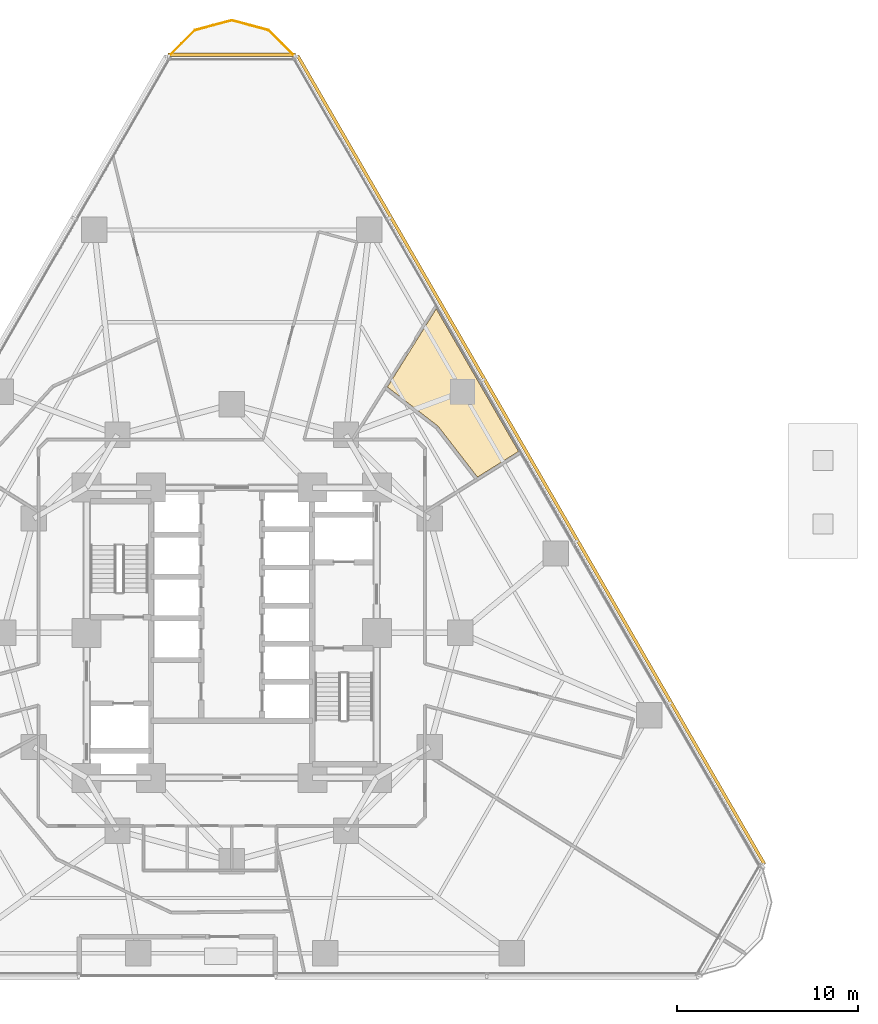
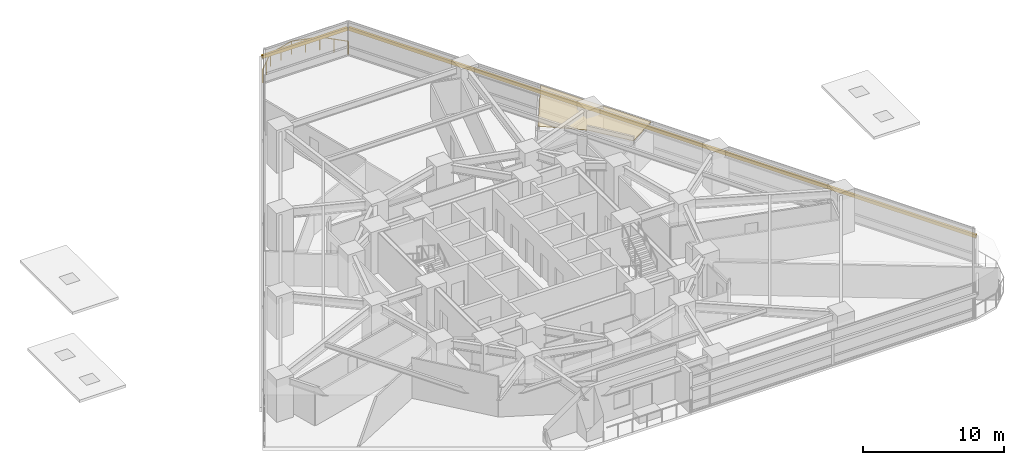
# One storey, part 16 of 16: 2 shading devices, 1 covering, 1 railing.
"""IFC4 building model written with IfcOpenShell, lengths in metres."""

from ifc_helpers import new_model, si_unit, direction, frame, origin, origin_2d, place, context, subcontext, project, spatial, polyline, rectangle, circle, outline, extrude, material, layer, layer_set, type_object, element, save


model = new_model("IFC4")

# Units and contexts
model_context = context("Model", 3, precision=1e-05, world=origin(), true_north=direction((0.0, 1.0)))
body_context = subcontext(model_context, "Body", "Model", "MODEL_VIEW")
ifc_project = project(units=[si_unit("LENGTHUNIT", "METRE"), si_unit("AREAUNIT", "SQUARE_METRE"), si_unit("VOLUMEUNIT", "CUBIC_METRE"), si_unit("PLANEANGLEUNIT", "RADIAN"), si_unit("MASSUNIT", "GRAM", prefix="KILO")], contexts=[model_context])

# Site, building, storey
site_placement = place(None, origin())
site = spatial("IfcSite", under=ifc_project, at=site_placement, CompositionType="ELEMENT")
building_placement = place(site_placement, origin())
building = spatial("IfcBuilding", under=site, at=building_placement, Name="Terralouvre Media Tower", CompositionType="ELEMENT")
storey_placement = place(building_placement, frame((0.0, 0.0, 29.699951171875)))
storey = spatial("IfcBuildingStorey", under=building, at=storey_placement, Name="L06", CompositionType="ELEMENT", Elevation=29.699951171875)

# Covering
ifc_material_1 = material(Name="Perforated aluminium acoustic ceiling baffle", Category="aluminium")
ifc_layer_1 = layer(ifc_material_1, 0.0400390625, Name="Perforated Acoustic Metal Tile Ceiling CL-AC1")
ifc_layer_set_1 = layer_set([ifc_layer_1], Name="Perforated aluminium acoustic ceiling baffle")
covering_type = type_object("IfcCoveringType", Name="Perforated Acoustic Metal Tile Ceiling CL-AC1", PredefinedType="CEILING", material=ifc_layer_set_1)
covering_placement = place(storey_placement, frame((0.0, 0.0, 2.97998046875)))
element("IfcCovering", 1, at=covering_placement, inside=storey, type_object=covering_type, Name="L06 Newsroom Tea Pantry 8 Acoustic Ceiling", PredefinedType="CEILING", context=body_context, shape_type="SweptSolid", body=[
    extrude(outline(polyline([(11.375244140625, 11.39306640625), (11.381591796875, 11.3876953125), (11.3876953125, 11.381591796875), (11.39306640625, 11.375244140625), (13.5517578125, 8.585693359375), (15.815185546875, 10.00048828125), (11.277587890625, 17.85986328125), (8.585693359375, 13.5517578125), (11.375244140625, 11.39306640625)])), origin(), (0.0, 0.0, 1.0), 0.0400390625),
])

# Railing
ifc_material_2 = material(Name="Stainless steel 316 handrail and balustrade", Category="steel")
ifc_layer_2 = layer(ifc_material_2, 0.06005859375, Name="Roof Edge Safety Guardrail GR-ROOF1")
ifc_layer_set_2 = layer_set([ifc_layer_2], Name="Stainless steel 316 handrail and balustrade")
railing_type = type_object("IfcRailingType", Name="Roof Edge Safety Guardrail GR-ROOF1", PredefinedType="GUARDRAIL", material=ifc_layer_set_2)
railing_placement = place(storey_placement, frame((3.505859375, 31.74365234375, 0.0)))
element("IfcRailing", 2, at=railing_placement, inside=storey, type_object=railing_type, Name="L06 Wind-Corner Perimeter Safety Guardrail C2", PredefinedType="GUARDRAIL", context=body_context, shape_type="SweptSolid", body=[
    extrude(circle(Radius=0.02099609375, at=origin_2d()), frame((0.0, 0.0, 1.12890625), z_axis=(-0.706932035913, 0.707281483286, 0.0), x_axis=(-0.707281483286, -0.706932035913, 0.0)), (0.0, 0.0, 1.0), 2.095947265625),
    extrude(circle(Radius=0.02099609375, at=origin_2d()), frame((-1.481689453125, 1.482421875, 1.12890625), z_axis=(-0.965913206711, 0.258866137416, 0.0), x_axis=(-0.258866137416, -0.965913206711, 0.0)), (0.0, 0.0, 1.0), 2.095703125),
    extrude(circle(Radius=0.02099609375, at=origin_2d()), frame((-3.505859375, 2.02490234375, 1.12890625), z_axis=(-0.965913206711, -0.258866137416, 0.0), x_axis=(0.258866137416, -0.965913206711, 0.0)), (0.0, 0.0, 1.0), 2.095703125),
    extrude(circle(Radius=0.02099609375, at=origin_2d()), frame((-5.530029296875, 1.482421875, 1.12890625), z_axis=(-0.706932035913, -0.707281483286, 0.0), x_axis=(0.707281483286, -0.706932035913, 0.0)), (0.0, 0.0, 1.0), 2.095947265625),
    extrude(circle(Radius=0.01904296875, at=origin_2d()), origin(), (0.0, 0.0, 1.0), 1.10791015625),
    extrude(circle(Radius=0.01904296875, at=origin_2d()), frame((-0.74072265625, 0.7412109375, 0.0)), (0.0, 0.0, 1.0), 1.10791015625),
    extrude(circle(Radius=0.01904296875, at=origin_2d()), frame((-1.481689453125, 1.482421875, 0.0)), (0.0, 0.0, 1.0), 1.10791015625),
    extrude(circle(Radius=0.01904296875, at=origin_2d()), frame((-2.49365234375, 1.753662109375, 0.0)), (0.0, 0.0, 1.0), 1.10791015625),
    extrude(circle(Radius=0.01904296875, at=origin_2d()), frame((-3.505859375, 2.02490234375, 0.0)), (0.0, 0.0, 1.0), 1.10791015625),
    extrude(circle(Radius=0.01904296875, at=origin_2d()), frame((-4.51806640625, 1.753662109375, 0.0)), (0.0, 0.0, 1.0), 1.10791015625),
    extrude(circle(Radius=0.01904296875, at=origin_2d()), frame((-5.530029296875, 1.482421875, 0.0)), (0.0, 0.0, 1.0), 1.10791015625),
    extrude(circle(Radius=0.01904296875, at=origin_2d()), frame((-6.27099609375, 0.7412109375, 0.0)), (0.0, 0.0, 1.0), 1.10791015625),
    extrude(circle(Radius=0.01904296875, at=origin_2d()), frame((-7.01171875, 0.0, 0.0)), (0.0, 0.0, 1.0), 1.10791015625),
])

# Shading devices
ifc_material_3 = material(Name="Extruded terracotta baguette sunshade louvres", Category="masonry")
shading_device_type = type_object("IfcShadingDeviceType", Name="Terracotta Baguette Sunshade Louvre Screen TB-LV1", PredefinedType="USERDEFINED", material=ifc_material_3)
shading_device_1_placement = place(storey_placement, frame((16.503662109375, 9.5283203125, 2.02392578125), z_axis=(0.0, 0.0, 1.0), x_axis=(-0.499999985671, 0.866025412057, 0.0)))
element("IfcShadingDevice", 3, at=shading_device_1_placement, inside=storey, type_object=shading_device_type, Name="CW-L06-F1 Terracotta Baguette Sunshade Louvre", ObjectType="BAGUETTE", PredefinedType="USERDEFINED", context=body_context, shape_type="SweptSolid", body=[
    extrude(rectangle(XDim=51.5, YDim=0.179931640625, at=origin_2d()), origin(), (0.0, 0.0, 1.0), 0.280029296875),
])
shading_device_2_placement = place(storey_placement, frame((0.0, 31.87841796875, 2.02392578125), z_axis=(0.0, 0.0, 1.0), x_axis=(-1.0, 0.0, 0.0)))
element("IfcShadingDevice", 4, at=shading_device_2_placement, inside=storey, type_object=shading_device_type, Name="CW-L06-C2 Terracotta Baguette Sunshade Louvre", ObjectType="BAGUETTE", PredefinedType="USERDEFINED", context=body_context, shape_type="SweptSolid", body=[
    extrude(rectangle(XDim=7.014892578125, YDim=0.179931640625, at=origin_2d()), origin(), (0.0, 0.0, 1.0), 0.280029296875),
])

save(model, "model.ifc")
